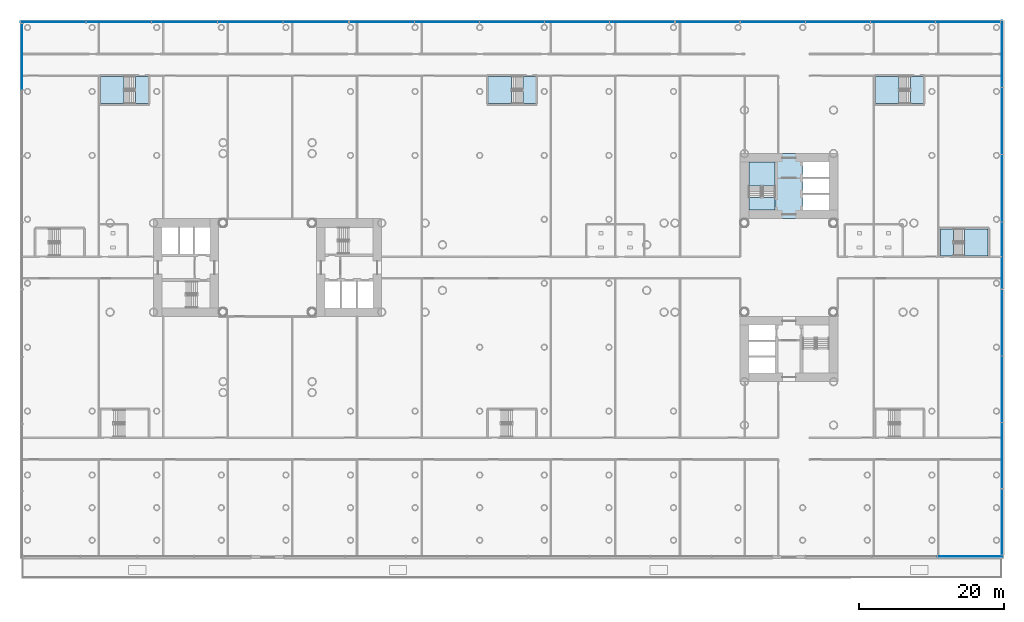
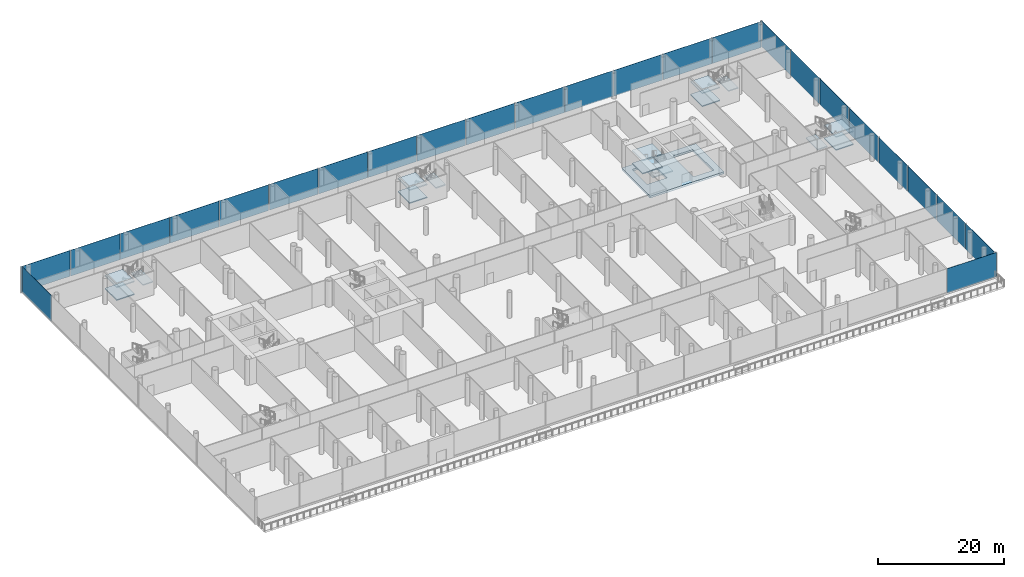
# One storey, part 16 of 59: 25 plates, 16 slabs, 12 elements without a shape of their own.
"""IFC4 building model written with IfcOpenShell, lengths in metres."""

import ifcopenshell
import ifcopenshell.guid

model = None  # the IFC model being written
_history = None  # IfcOwnerHistory: only IFC2X3 demands one
_inside = {}  # id of a spatial element -> (the spatial element, [elements in it])
_under = {}  # id of a project, library or spatial element -> (it, [spatial elements below it])
_declared = {}  # id of a project -> (the project, [libraries it declares])
_typed = {}  # id of a type object -> (the type object, [elements of that type])
_made_of = {}  # id of a material, layer set ... -> (it, [elements and type objects made of it])


def new_model(schema):
    """Start an empty IFC model of exactly this schema.

    Asked for "IFC4X3", IfcOpenShell would pick the latest addendum, in which some entities
    have other attributes; the version numbers below select the first issue.
    IFC2X3 requires an IfcOwnerHistory on every rooted entity: one is made here for all.
    """
    global model, _history
    if schema == "IFC4X3":
        model = ifcopenshell.file(schema_version=(4, 3, 0, 0))
    else:
        model = ifcopenshell.file(schema=schema)
    _inside.clear()
    _under.clear()
    _declared.clear()
    _typed.clear()
    _made_of.clear()
    _history = None
    if model.schema == "IFC2X3":
        org = make("IfcOrganization", Name="unknown")
        user = make(
            "IfcPersonAndOrganization",
            ThePerson=make("IfcPerson", FamilyName="unknown"),
            TheOrganization=org,
        )
        app = make(
            "IfcApplication",
            ApplicationDeveloper=org,
            Version="unknown",
            ApplicationFullName="unknown",
            ApplicationIdentifier="unknown",
        )
        _history = make(
            "IfcOwnerHistory",
            OwningUser=user,
            OwningApplication=app,
            ChangeAction="ADDED",
            CreationDate=0,
        )
    return model


def make(cls, **values):
    """One entity of the class cls with the attributes given. An attribute that is None is left unset."""
    return model.create_entity(
        cls, **{name: value for name, value in values.items() if value is not None}
    )


def rooted(cls, **values):
    """An entity with a GlobalId (a new one), such as an element, a storey or a relation."""
    return make(cls, GlobalId=ifcopenshell.guid.new(), OwnerHistory=_history, **values)


def si_unit(unit_type, name, prefix=None):
    """IfcSIUnit, for example si_unit("LENGTHUNIT", "METRE", prefix="MILLI")."""
    return make("IfcSIUnit", UnitType=unit_type, Prefix=prefix, Name=name)


def assignment(units):
    """IfcUnitAssignment: the units of a project."""
    return None if units is None else make("IfcUnitAssignment", Units=units)


def point(xyz):
    """IfcCartesianPoint."""
    return None if xyz is None else make("IfcCartesianPoint", Coordinates=xyz)


def direction(xyz):
    """IfcDirection."""
    return None if xyz is None else make("IfcDirection", DirectionRatios=xyz)


def frame(location, z_axis=None, x_axis=None):
    """IfcAxis2Placement3D, a coordinate frame: its origin and axes. An axis left out is left unset."""
    return make(
        "IfcAxis2Placement3D",
        Location=point(location),
        Axis=direction(z_axis),
        RefDirection=direction(x_axis),
    )


def frame_2d(location, x_axis=None):
    """IfcAxis2Placement2D, a coordinate frame in the plane: its origin and x axis."""
    return make(
        "IfcAxis2Placement2D", Location=point(location), RefDirection=direction(x_axis)
    )


def origin():
    """The frame at (0, 0, 0) with its axes left unset."""
    return frame((0.0, 0.0, 0.0))


def origin_2d():
    """The frame at (0, 0) in the plane with its x axis left unset."""
    return frame_2d((0.0, 0.0))


def place(relative_to, where):
    """IfcLocalPlacement: puts the frame where relative to a parent placement (None: the world)."""
    return make(
        "IfcLocalPlacement", PlacementRelTo=relative_to, RelativePlacement=where
    )


def context(
    kind, dimensions, precision=None, world=None, true_north=None, identifier=None
):
    """IfcGeometricRepresentationContext, for example the 3D "Model" context."""
    return make(
        "IfcGeometricRepresentationContext",
        ContextIdentifier=identifier,
        ContextType=kind,
        CoordinateSpaceDimension=dimensions,
        Precision=precision,
        WorldCoordinateSystem=world,
        TrueNorth=true_north,
    )


def subcontext(parent, identifier, kind, view, scale=None):
    """IfcGeometricRepresentationSubContext, for example "Body" below "Model"."""
    return make(
        "IfcGeometricRepresentationSubContext",
        ContextIdentifier=identifier,
        ContextType=kind,
        ParentContext=parent,
        TargetScale=scale,
        TargetView=view,
    )


def project(units=None, contexts=None):
    """IfcProject with its units and contexts."""
    return rooted(
        "IfcProject",
        Name="project",
        RepresentationContexts=contexts,
        UnitsInContext=assignment(units),
    )


def spatial(cls, under=None, at=None, **own):
    """A site, building, storey or space (cls), placed at a placement, below another one or the project."""
    s = rooted(cls, ObjectPlacement=at, **own)
    if under is not None:
        _under.setdefault(under.id(), (under, []))[1].append(s)
    return s


def polyline(points):
    """IfcPolyline through the points."""
    return make("IfcPolyline", Points=[point(p) for p in points])


def profile(cls, at=None, kind="AREA", **sizes):
    """A parametric profile (cls). Its sizes go by their IFC names, for example OverallWidth=200.0."""
    return make(cls, ProfileType=kind, Position=at, **sizes)


def rectangle(**sizes):
    """IfcRectangleProfileDef."""
    return profile("IfcRectangleProfileDef", **sizes)


def outline(outer, holes=None, kind="AREA"):
    """IfcArbitraryClosedProfileDef: a profile drawn as a closed curve; with holes, ...WithVoids."""
    if holes is None:
        return make("IfcArbitraryClosedProfileDef", ProfileType=kind, OuterCurve=outer)
    return make(
        "IfcArbitraryProfileDefWithVoids",
        ProfileType=kind,
        OuterCurve=outer,
        InnerCurves=holes,
    )


def extrude(swept, where, along, depth):
    """IfcExtrudedAreaSolid: the profile swept, set in the frame where, extruded along a direction by depth."""
    return make(
        "IfcExtrudedAreaSolid",
        SweptArea=swept,
        Position=where,
        ExtrudedDirection=direction(along),
        Depth=depth,
    )


def shape(context_of_items, identifier, shape_type, items):
    """IfcShapeRepresentation: the items that make up one representation, for example the "Body"."""
    return make(
        "IfcShapeRepresentation",
        ContextOfItems=context_of_items,
        RepresentationIdentifier=identifier,
        RepresentationType=shape_type,
        Items=items,
    )


def material(Name=None, Category=None):
    """IfcMaterial."""
    return make("IfcMaterial", Name=Name, Category=Category)


def layer(
    of_material, thickness, ventilated=None, Name=None, Category=None, Priority=None
):
    """IfcMaterialLayer: one layer of a wall or slab, of a material (None: an air gap)."""
    return make(
        "IfcMaterialLayer",
        Material=of_material,
        LayerThickness=thickness,
        IsVentilated=ventilated,
        Name=Name,
        Category=Category,
        Priority=Priority,
    )


def layer_set(layers, Name=None):
    """IfcMaterialLayerSet."""
    return make("IfcMaterialLayerSet", MaterialLayers=layers, LayerSetName=Name)


def made_of(thing, what):
    """Note that an element or type object is made of a material, layer set ...; save() writes the relation."""
    if what is not None:
        _made_of.setdefault(what.id(), (what, []))[1].append(thing)
    return thing


def type_object(cls, material=None, **own):
    """A type object (cls), such as IfcWallType, which elements share."""
    return made_of(rooted(cls, **own), material)


def element(
    cls,
    number,
    at=None,
    inside=None,
    cuts=None,
    type_object=None,
    material=None,
    context=None,
    identifier="Body",
    shape_type=None,
    held_by="IfcProductDefinitionShape",
    body=None,
    shapes=None,
    **own,
):
    """One element of the class cls, such as IfcWall. Its Tag is "e" and its number.

    at: its placement. inside: the storey or other place that contains it. cuts: it is an
    opening in that element (IfcRelVoidsElement). A single representation is given by context,
    identifier, shape_type and body (its items); several are given by shapes. held_by: the class
    of the entity that holds the representations. save() writes the other relations.
    """
    e = rooted(cls, Tag="e%d" % number, ObjectPlacement=at, **own)
    if body is not None:
        shapes = [shape(context, identifier, shape_type, body)]
    if shapes is not None:
        e.Representation = make(held_by, Representations=shapes)
    if inside is not None:
        _inside.setdefault(inside.id(), (inside, []))[1].append(e)
    if cuts is not None:
        rooted(
            "IfcRelVoidsElement", RelatingBuildingElement=cuts, RelatedOpeningElement=e
        )
    if type_object is not None:
        _typed.setdefault(type_object.id(), (type_object, []))[1].append(e)
    return made_of(e, material)


def aggregate(whole, parts):
    """IfcRelAggregates: a whole, such as a stair, and the parts it consists of."""
    return rooted("IfcRelAggregates", RelatingObject=whole, RelatedObjects=parts)


def save(model, path):
    """Write the relations noted so far, then the file.

    IfcRelAggregates (storeys below a building ...), IfcRelContainedInSpatialStructure (elements
    in a storey), IfcRelDefinesByType, IfcRelAssociatesMaterial and IfcRelDeclares: one each for
    every whole, place, type object, material and project.
    """
    for whole, parts in _under.values():
        aggregate(whole, parts)
    for where, things in _inside.values():
        rooted(
            "IfcRelContainedInSpatialStructure",
            RelatedElements=things,
            RelatingStructure=where,
        )
    for kind, things in _typed.values():
        rooted("IfcRelDefinesByType", RelatedObjects=things, RelatingType=kind)
    for what, things in _made_of.values():
        rooted("IfcRelAssociatesMaterial", RelatedObjects=things, RelatingMaterial=what)
    for by, libraries in _declared.values():
        rooted("IfcRelDeclares", RelatingContext=by, RelatedDefinitions=libraries)
    model.write(path)


model = new_model("IFC4")

# Units and contexts
model_context = context("Model", 3, precision=1e-05, world=origin(), true_north=direction((0.0, 1.0)))
body_context = subcontext(model_context, "Body", "Model", "MODEL_VIEW")
ifc_project = project(units=[si_unit("LENGTHUNIT", "METRE"), si_unit("AREAUNIT", "SQUARE_METRE"), si_unit("VOLUMEUNIT", "CUBIC_METRE"), si_unit("PLANEANGLEUNIT", "RADIAN"), si_unit("MASSUNIT", "GRAM", prefix="KILO")], contexts=[model_context])

# Site, building, storey
site_placement = place(None, origin())
site = spatial("IfcSite", under=ifc_project, at=site_placement, CompositionType="ELEMENT")
building_placement = place(site_placement, origin())
building = spatial("IfcBuilding", under=site, at=building_placement, Name="Ipe Terrace Towers", CompositionType="ELEMENT")
storey_placement = place(building_placement, frame((0.0, 0.0, 6.0)))
storey = spatial("IfcBuildingStorey", under=building, at=storey_placement, Name="L01", CompositionType="ELEMENT", Elevation=6.0)

# Slab
ifc_material_1 = material(Name="Concrete C30/37", Category="concrete")
ifc_layer_1 = layer(ifc_material_1, 0.39990234375)
ifc_layer_set_1 = layer_set([ifc_layer_1], Name="CORE FLOOR SLAB 400 C30-37")
slab_type_1 = type_object("IfcSlabType", Name="CORE FLOOR SLAB 400 C30-37", PredefinedType="FLOOR", material=ifc_layer_set_1)
slab_1_placement = place(storey_placement, frame((0.0, 0.0, -0.39990234375)))
element("IfcSlab", 1, at=slab_1_placement, inside=storey, type_object=slab_type_1, Name="Core floor T2-C1", PredefinedType="FLOOR", context=body_context, shape_type="SweptSolid", body=[
    extrude(outline(polyline([(29.25, 6.75), (29.25, 15.75), (42.75, 15.75), (42.75, 6.75), (29.25, 6.75)]), holes=[polyline([(41.550048828125, 7.949951171875), (41.550048828125, 14.550048828125), (37.89990234375, 14.550048828125), (37.89990234375, 7.949951171875), (41.550048828125, 7.949951171875)]), polyline([(30.449951171875, 9.800048828125), (34.10009765625, 9.800048828125), (34.10009765625, 14.550048828125), (30.449951171875, 14.550048828125), (30.449951171875, 9.800048828125)])]), origin(), (0.0, 0.0, 1.0), 0.39990234375),
])

# Stair, slabs
ifc_material_2 = material(Name="Concrete C30/37", Category="concrete")
stair_type = type_object("IfcStairType", Name="Protected exit stair", PredefinedType="HALF_TURN_STAIR", material=ifc_material_2)
stair_1_placement = place(storey_placement, origin())
stair_1 = element("IfcStair", 2, at=stair_1_placement, inside=storey, type_object=stair_type, Name="L01 Exit stair T2-C1", PredefinedType="HALF_TURN_STAIR")
ifc_material_3 = material(Name="Concrete C30/37", Category="concrete")
ifc_layer_2 = layer(ifc_material_3, 0.199951171875)
ifc_layer_set_2 = layer_set([ifc_layer_2], Name="Exit stair landing 200")
slab_type_2 = type_object("IfcSlabType", Name="Exit stair landing 200", PredefinedType="LANDING", material=ifc_layer_set_2)
slab_2_placement = place(storey_placement, frame((0.0, 0.0, 1.050048828125)))
slab_2 = element("IfcSlab", 3, at=slab_2_placement, type_object=slab_type_2, Name="T2-ST1 landing 1", PredefinedType="LANDING", context=body_context, shape_type="SweptSolid", body=[
    extrude(outline(polyline([(34.10009765625, 11.260009765625), (34.10009765625, 14.550048828125), (30.449951171875, 14.550048828125), (30.449951171875, 11.260009765625), (34.10009765625, 11.260009765625)])), origin(), (0.0, 0.0, 1.0), 0.199951171875),
])
slab_3_placement = place(storey_placement, frame((0.0, 0.0, 2.300048828125)))
slab_3 = element("IfcSlab", 4, at=slab_3_placement, type_object=slab_type_2, Name="T2-ST1 landing 2", PredefinedType="LANDING", context=body_context, shape_type="SweptSolid", body=[
    extrude(outline(polyline([(34.10009765625, 7.949951171875), (34.10009765625, 9.699951171875), (30.449951171875, 9.699951171875), (30.449951171875, 7.949951171875), (34.10009765625, 7.949951171875)])), origin(), (0.0, 0.0, 1.0), 0.199951171875),
])
slab_4_placement = place(storey_placement, frame((0.0, 0.0, 3.550048828125)))
slab_4 = element("IfcSlab", 5, at=slab_4_placement, type_object=slab_type_2, Name="T2-ST1 landing 3", PredefinedType="LANDING", context=body_context, shape_type="SweptSolid", body=[
    extrude(outline(polyline([(34.10009765625, 11.260009765625), (34.10009765625, 14.550048828125), (30.449951171875, 14.550048828125), (30.449951171875, 11.260009765625), (34.10009765625, 11.260009765625)])), origin(), (0.0, 0.0, 1.0), 0.199951171875),
])
aggregate(stair_1, [slab_2, slab_3, slab_4])

stair_2_placement = place(storey_placement, origin())
stair_2 = element("IfcStair", 6, at=stair_2_placement, inside=storey, type_object=stair_type, Name="L01 Podium exit stair PS1", PredefinedType="HALF_TURN_STAIR")
slab_5_placement = place(storey_placement, frame((0.0, 0.0, 1.050048828125)))
slab_5 = element("IfcSlab", 7, at=slab_5_placement, type_object=slab_type_2, Name="PS1 landing 1", PredefinedType="LANDING", context=body_context, shape_type="SweptSolid", body=[
    extrude(outline(polyline([(-55.830078125, 26.39990234375), (-59.070068359375, 26.39990234375), (-59.070068359375, 22.64990234375), (-55.830078125, 22.64990234375), (-55.830078125, 26.39990234375)])), origin(), (0.0, 0.0, 1.0), 0.199951171875),
])
slab_6_placement = place(storey_placement, frame((0.0, 0.0, 2.300048828125)))
slab_6 = element("IfcSlab", 8, at=slab_6_placement, type_object=slab_type_2, Name="PS1 landing 2", PredefinedType="LANDING", context=body_context, shape_type="SweptSolid", body=[
    extrude(outline(polyline([(-52.469970703125, 26.39990234375), (-54.27001953125, 26.39990234375), (-54.27001953125, 22.64990234375), (-52.469970703125, 22.64990234375), (-52.469970703125, 26.39990234375)])), origin(), (0.0, 0.0, 1.0), 0.199951171875),
])
slab_7_placement = place(storey_placement, frame((0.0, 0.0, 3.550048828125)))
slab_7 = element("IfcSlab", 9, at=slab_7_placement, type_object=slab_type_2, Name="PS1 landing 3", PredefinedType="LANDING", context=body_context, shape_type="SweptSolid", body=[
    extrude(outline(polyline([(-55.830078125, 26.39990234375), (-59.070068359375, 26.39990234375), (-59.070068359375, 22.64990234375), (-55.830078125, 22.64990234375), (-55.830078125, 26.39990234375)])), origin(), (0.0, 0.0, 1.0), 0.199951171875),
])
aggregate(stair_2, [slab_5, slab_6, slab_7])

stair_3_placement = place(storey_placement, origin())
stair_3 = element("IfcStair", 10, at=stair_3_placement, inside=storey, type_object=stair_type, Name="L01 Podium exit stair PS2", PredefinedType="HALF_TURN_STAIR")
slab_8_placement = place(storey_placement, frame((0.0, 0.0, 1.050048828125)))
slab_8 = element("IfcSlab", 11, at=slab_8_placement, type_object=slab_type_2, Name="PS2 landing 1", PredefinedType="LANDING", context=body_context, shape_type="SweptSolid", body=[
    extrude(outline(polyline([(-2.31005859375, 26.39990234375), (-5.550048828125, 26.39990234375), (-5.550048828125, 22.64990234375), (-2.31005859375, 22.64990234375), (-2.31005859375, 26.39990234375)])), origin(), (0.0, 0.0, 1.0), 0.199951171875),
])
slab_9_placement = place(storey_placement, frame((0.0, 0.0, 2.300048828125)))
slab_9 = element("IfcSlab", 12, at=slab_9_placement, type_object=slab_type_2, Name="PS2 landing 2", PredefinedType="LANDING", context=body_context, shape_type="SweptSolid", body=[
    extrude(outline(polyline([(1.050048828125, 26.39990234375), (-0.75, 26.39990234375), (-0.75, 22.64990234375), (1.050048828125, 22.64990234375), (1.050048828125, 26.39990234375)])), origin(), (0.0, 0.0, 1.0), 0.199951171875),
])
slab_10_placement = place(storey_placement, frame((0.0, 0.0, 3.550048828125)))
slab_10 = element("IfcSlab", 13, at=slab_10_placement, type_object=slab_type_2, Name="PS2 landing 3", PredefinedType="LANDING", context=body_context, shape_type="SweptSolid", body=[
    extrude(outline(polyline([(-2.31005859375, 26.39990234375), (-5.550048828125, 26.39990234375), (-5.550048828125, 22.64990234375), (-2.31005859375, 22.64990234375), (-2.31005859375, 26.39990234375)])), origin(), (0.0, 0.0, 1.0), 0.199951171875),
])
aggregate(stair_3, [slab_8, slab_9, slab_10])

stair_4_placement = place(storey_placement, origin())
stair_4 = element("IfcStair", 14, at=stair_4_placement, inside=storey, type_object=stair_type, Name="L01 Podium exit stair PS3", PredefinedType="HALF_TURN_STAIR")
slab_11_placement = place(storey_placement, frame((0.0, 0.0, 1.050048828125)))
slab_11 = element("IfcSlab", 15, at=slab_11_placement, type_object=slab_type_2, Name="PS3 landing 1", PredefinedType="LANDING", context=body_context, shape_type="SweptSolid", body=[
    extrude(outline(polyline([(51.2099609375, 26.39990234375), (47.969970703125, 26.39990234375), (47.969970703125, 22.64990234375), (51.2099609375, 22.64990234375), (51.2099609375, 26.39990234375)])), origin(), (0.0, 0.0, 1.0), 0.199951171875),
])
slab_12_placement = place(storey_placement, frame((0.0, 0.0, 2.300048828125)))
slab_12 = element("IfcSlab", 16, at=slab_12_placement, type_object=slab_type_2, Name="PS3 landing 2", PredefinedType="LANDING", context=body_context, shape_type="SweptSolid", body=[
    extrude(outline(polyline([(54.570068359375, 26.39990234375), (52.77001953125, 26.39990234375), (52.77001953125, 22.64990234375), (54.570068359375, 22.64990234375), (54.570068359375, 26.39990234375)])), origin(), (0.0, 0.0, 1.0), 0.199951171875),
])
slab_13_placement = place(storey_placement, frame((0.0, 0.0, 3.550048828125)))
slab_13 = element("IfcSlab", 17, at=slab_13_placement, type_object=slab_type_2, Name="PS3 landing 3", PredefinedType="LANDING", context=body_context, shape_type="SweptSolid", body=[
    extrude(outline(polyline([(51.2099609375, 26.39990234375), (47.969970703125, 26.39990234375), (47.969970703125, 22.64990234375), (51.2099609375, 22.64990234375), (51.2099609375, 26.39990234375)])), origin(), (0.0, 0.0, 1.0), 0.199951171875),
])
aggregate(stair_4, [slab_11, slab_12, slab_13])

stair_5_placement = place(storey_placement, origin())
stair_5 = element("IfcStair", 18, at=stair_5_placement, inside=storey, type_object=stair_type, Name="L01 Podium exit stair PS8", PredefinedType="HALF_TURN_STAIR")
slab_14_placement = place(storey_placement, frame((0.0, 0.0, 1.050048828125)))
slab_14 = element("IfcSlab", 19, at=slab_14_placement, type_object=slab_type_2, Name="PS8 landing 1", PredefinedType="LANDING", context=body_context, shape_type="SweptSolid", body=[
    extrude(outline(polyline([(60.25, 1.60009765625), (63.489990234375, 1.60009765625), (63.489990234375, 5.35009765625), (60.25, 5.35009765625), (60.25, 1.60009765625)])), origin(), (0.0, 0.0, 1.0), 0.199951171875),
])
slab_15_placement = place(storey_placement, frame((0.0, 0.0, 2.300048828125)))
slab_15 = element("IfcSlab", 20, at=slab_15_placement, type_object=slab_type_2, Name="PS8 landing 2", PredefinedType="LANDING", context=body_context, shape_type="SweptSolid", body=[
    extrude(outline(polyline([(56.889892578125, 1.60009765625), (58.68994140625, 1.60009765625), (58.68994140625, 5.35009765625), (56.889892578125, 5.35009765625), (56.889892578125, 1.60009765625)])), origin(), (0.0, 0.0, 1.0), 0.199951171875),
])
slab_16_placement = place(storey_placement, frame((0.0, 0.0, 3.550048828125)))
slab_16 = element("IfcSlab", 21, at=slab_16_placement, type_object=slab_type_2, Name="PS8 landing 3", PredefinedType="LANDING", context=body_context, shape_type="SweptSolid", body=[
    extrude(outline(polyline([(60.25, 1.60009765625), (63.489990234375, 1.60009765625), (63.489990234375, 5.35009765625), (60.25, 5.35009765625), (60.25, 1.60009765625)])), origin(), (0.0, 0.0, 1.0), 0.199951171875),
])
aggregate(stair_5, [slab_14, slab_15, slab_16])

# Curtain wall, plates
ifc_material_4 = material(Name="Aluminium alloy 6063-T6", Category="aluminium")
ifc_layer_3 = layer(ifc_material_4, 0.43994140625)
ifc_layer_set_3 = layer_set([ifc_layer_3], Name="PODIUM GLAZING CURTAIN WALL")
curtain_wall_type = type_object("IfcCurtainWallType", Name="PODIUM GLAZING CURTAIN WALL", PredefinedType="NOTDEFINED", material=ifc_layer_set_3)
curtain_wall_1_placement = place(storey_placement, origin())
curtain_wall_1 = element("IfcCurtainWall", 22, at=curtain_wall_1_placement, inside=storey, type_object=curtain_wall_type, Name="POD-CW-L01-00a curtain wall", PredefinedType="NOTDEFINED")
ifc_material_5 = material(Name="Glass, clear laminated", Category="glass")
ifc_layer_4 = layer(ifc_material_5, 0.035888671875)
ifc_layer_set_4 = layer_set([ifc_layer_4], Name="PODIUM GLAZING GLASS PANEL 36")
plate_type = type_object("IfcPlateType", Name="PODIUM GLAZING GLASS PANEL 36", PredefinedType="CURTAIN_PANEL", material=ifc_layer_set_4)
plate_1_placement = place(storey_placement, frame((65.39990234375, -35.126220703125, -0.300048828125), z_axis=(0.0, 0.0, 1.0), x_axis=(0.0, 1.0, 0.0)))
plate_1 = element("IfcPlate", 23, at=plate_1_placement, type_object=plate_type, Name="POD-CW-L01-00a panel 1", PredefinedType="CURTAIN_PANEL", context=body_context, shape_type="SweptSolid", body=[
    extrude(rectangle(XDim=9.08740234375, YDim=0.035888671875, at=origin_2d()), origin(), (0.0, 0.0, 1.0), 5.0),
])
plate_2_placement = place(storey_placement, frame((65.39990234375, -25.958740234375, -0.300048828125), z_axis=(0.0, 0.0, 1.0), x_axis=(0.0, 1.0, 0.0)))
plate_2 = element("IfcPlate", 24, at=plate_2_placement, type_object=plate_type, Name="POD-CW-L01-00a panel 2", PredefinedType="CURTAIN_PANEL", context=body_context, shape_type="SweptSolid", body=[
    extrude(rectangle(XDim=9.08740234375, YDim=0.035888671875, at=origin_2d()), origin(), (0.0, 0.0, 1.0), 5.0),
])
plate_3_placement = place(storey_placement, frame((65.39990234375, -16.791259765625, -0.300048828125), z_axis=(0.0, 0.0, 1.0), x_axis=(0.0, 1.0, 0.0)))
plate_3 = element("IfcPlate", 25, at=plate_3_placement, type_object=plate_type, Name="POD-CW-L01-00a panel 3", PredefinedType="CURTAIN_PANEL", context=body_context, shape_type="SweptSolid", body=[
    extrude(rectangle(XDim=9.08740234375, YDim=0.035888671875, at=origin_2d()), origin(), (0.0, 0.0, 1.0), 5.0),
])
plate_4_placement = place(storey_placement, frame((65.39990234375, -7.623779296875, -0.300048828125), z_axis=(0.0, 0.0, 1.0), x_axis=(0.0, 1.0, 0.0)))
plate_4 = element("IfcPlate", 26, at=plate_4_placement, type_object=plate_type, Name="POD-CW-L01-00a panel 4", PredefinedType="CURTAIN_PANEL", context=body_context, shape_type="SweptSolid", body=[
    extrude(rectangle(XDim=9.08740234375, YDim=0.035888671875, at=origin_2d()), origin(), (0.0, 0.0, 1.0), 5.0),
])
aggregate(curtain_wall_1, [plate_1, plate_2, plate_3, plate_4])

curtain_wall_2_placement = place(storey_placement, origin())
curtain_wall_2 = element("IfcCurtainWall", 27, at=curtain_wall_2_placement, inside=storey, type_object=curtain_wall_type, Name="POD-CW-L01-00b curtain wall", PredefinedType="NOTDEFINED")
plate_5_placement = place(storey_placement, frame((65.39990234375, 1.6787109375, -0.300048828125), z_axis=(0.0, 0.0, 1.0), x_axis=(0.0, 1.0, 0.0)))
plate_5 = element("IfcPlate", 28, at=plate_5_placement, type_object=plate_type, Name="POD-CW-L01-00b panel 1", PredefinedType="CURTAIN_PANEL", context=body_context, shape_type="SweptSolid", body=[
    extrude(rectangle(XDim=9.197509765625, YDim=0.035888671875, at=origin_2d()), origin(), (0.0, 0.0, 1.0), 5.0),
])
plate_6_placement = place(storey_placement, frame((65.39990234375, 10.956298828125, -0.300048828125), z_axis=(0.0, 0.0, 1.0), x_axis=(0.0, 1.0, 0.0)))
plate_6 = element("IfcPlate", 29, at=plate_6_placement, type_object=plate_type, Name="POD-CW-L01-00b panel 2", PredefinedType="CURTAIN_PANEL", context=body_context, shape_type="SweptSolid", body=[
    extrude(rectangle(XDim=9.197509765625, YDim=0.035888671875, at=origin_2d()), origin(), (0.0, 0.0, 1.0), 5.0),
])
plate_7_placement = place(storey_placement, frame((65.39990234375, 20.233642578125, -0.300048828125), z_axis=(0.0, 0.0, 1.0), x_axis=(0.0, 1.0, 0.0)))
plate_7 = element("IfcPlate", 30, at=plate_7_placement, type_object=plate_type, Name="POD-CW-L01-00b panel 3", PredefinedType="CURTAIN_PANEL", context=body_context, shape_type="SweptSolid", body=[
    extrude(rectangle(XDim=9.197509765625, YDim=0.035888671875, at=origin_2d()), origin(), (0.0, 0.0, 1.0), 5.0),
])
plate_8_placement = place(storey_placement, frame((65.39990234375, 29.51123046875, -0.300048828125), z_axis=(0.0, 0.0, 1.0), x_axis=(0.0, 1.0, 0.0)))
plate_8 = element("IfcPlate", 31, at=plate_8_placement, type_object=plate_type, Name="POD-CW-L01-00b panel 4", PredefinedType="CURTAIN_PANEL", context=body_context, shape_type="SweptSolid", body=[
    extrude(rectangle(XDim=9.197509765625, YDim=0.035888671875, at=origin_2d()), origin(), (0.0, 0.0, 1.0), 5.0),
])
aggregate(curtain_wall_2, [plate_5, plate_6, plate_7, plate_8])

curtain_wall_3_placement = place(storey_placement, origin())
curtain_wall_3 = element("IfcCurtainWall", 32, at=curtain_wall_3_placement, inside=storey, type_object=curtain_wall_type, Name="POD-CW-L01-01a curtain wall", PredefinedType="NOTDEFINED")
plate_9_placement = place(storey_placement, frame((60.718017578125, 33.89990234375, -0.300048828125), z_axis=(0.0, 0.0, 1.0), x_axis=(-1.0, 0.0, 0.0)))
plate_9 = element("IfcPlate", 33, at=plate_9_placement, type_object=plate_type, Name="POD-CW-L01-01a panel 1", PredefinedType="CURTAIN_PANEL", context=body_context, shape_type="SweptSolid", body=[
    extrude(rectangle(XDim=8.904052734375, YDim=0.035888671875, at=origin_2d()), origin(), (0.0, 0.0, 1.0), 5.0),
])
plate_10_placement = place(storey_placement, frame((51.73388671875, 33.89990234375, -0.300048828125), z_axis=(0.0, 0.0, 1.0), x_axis=(-1.0, 0.0, 0.0)))
plate_10 = element("IfcPlate", 34, at=plate_10_placement, type_object=plate_type, Name="POD-CW-L01-01a panel 2", PredefinedType="CURTAIN_PANEL", context=body_context, shape_type="SweptSolid", body=[
    extrude(rectangle(XDim=8.904052734375, YDim=0.035888671875, at=origin_2d()), origin(), (0.0, 0.0, 1.0), 5.0),
])
plate_11_placement = place(storey_placement, frame((42.75, 33.89990234375, -0.300048828125), z_axis=(0.0, 0.0, 1.0), x_axis=(-1.0, 0.0, 0.0)))
plate_11 = element("IfcPlate", 35, at=plate_11_placement, type_object=plate_type, Name="POD-CW-L01-01a panel 3", PredefinedType="CURTAIN_PANEL", context=body_context, shape_type="SweptSolid", body=[
    extrude(rectangle(XDim=8.904052734375, YDim=0.035888671875, at=origin_2d()), origin(), (0.0, 0.0, 1.0), 5.0),
])
plate_12_placement = place(storey_placement, frame((33.76611328125, 33.89990234375, -0.300048828125), z_axis=(0.0, 0.0, 1.0), x_axis=(-1.0, 0.0, 0.0)))
plate_12 = element("IfcPlate", 36, at=plate_12_placement, type_object=plate_type, Name="POD-CW-L01-01a panel 4", PredefinedType="CURTAIN_PANEL", context=body_context, shape_type="SweptSolid", body=[
    extrude(rectangle(XDim=8.904052734375, YDim=0.035888671875, at=origin_2d()), origin(), (0.0, 0.0, 1.0), 5.0),
])
plate_13_placement = place(storey_placement, frame((24.781982421875, 33.89990234375, -0.300048828125), z_axis=(0.0, 0.0, 1.0), x_axis=(-1.0, 0.0, 0.0)))
plate_13 = element("IfcPlate", 37, at=plate_13_placement, type_object=plate_type, Name="POD-CW-L01-01a panel 5", PredefinedType="CURTAIN_PANEL", context=body_context, shape_type="SweptSolid", body=[
    extrude(rectangle(XDim=8.904052734375, YDim=0.035888671875, at=origin_2d()), origin(), (0.0, 0.0, 1.0), 5.0),
])
aggregate(curtain_wall_3, [plate_9, plate_10, plate_11, plate_12, plate_13])

curtain_wall_4_placement = place(storey_placement, origin())
curtain_wall_4 = element("IfcCurtainWall", 38, at=curtain_wall_4_placement, inside=storey, type_object=curtain_wall_type, Name="POD-CW-L01-01b curtain wall", PredefinedType="NOTDEFINED")
plate_14_placement = place(storey_placement, frame((15.718017578125, 33.89990234375, -0.300048828125), z_axis=(0.0, 0.0, 1.0), x_axis=(-1.0, 0.0, 0.0)))
plate_14 = element("IfcPlate", 39, at=plate_14_placement, type_object=plate_type, Name="POD-CW-L01-01b panel 1", PredefinedType="CURTAIN_PANEL", context=body_context, shape_type="SweptSolid", body=[
    extrude(rectangle(XDim=8.904052734375, YDim=0.035888671875, at=origin_2d()), origin(), (0.0, 0.0, 1.0), 5.0),
])
plate_15_placement = place(storey_placement, frame((6.73388671875, 33.89990234375, -0.300048828125), z_axis=(0.0, 0.0, 1.0), x_axis=(-1.0, 0.0, 0.0)))
plate_15 = element("IfcPlate", 40, at=plate_15_placement, type_object=plate_type, Name="POD-CW-L01-01b panel 2", PredefinedType="CURTAIN_PANEL", context=body_context, shape_type="SweptSolid", body=[
    extrude(rectangle(XDim=8.904052734375, YDim=0.035888671875, at=origin_2d()), origin(), (0.0, 0.0, 1.0), 5.0),
])
plate_16_placement = place(storey_placement, frame((-2.25, 33.89990234375, -0.300048828125), z_axis=(0.0, 0.0, 1.0), x_axis=(-1.0, 0.0, 0.0)))
plate_16 = element("IfcPlate", 41, at=plate_16_placement, type_object=plate_type, Name="POD-CW-L01-01b panel 3", PredefinedType="CURTAIN_PANEL", context=body_context, shape_type="SweptSolid", body=[
    extrude(rectangle(XDim=8.904052734375, YDim=0.035888671875, at=origin_2d()), origin(), (0.0, 0.0, 1.0), 5.0),
])
plate_17_placement = place(storey_placement, frame((-11.23388671875, 33.89990234375, -0.300048828125), z_axis=(0.0, 0.0, 1.0), x_axis=(-1.0, 0.0, 0.0)))
plate_17 = element("IfcPlate", 42, at=plate_17_placement, type_object=plate_type, Name="POD-CW-L01-01b panel 4", PredefinedType="CURTAIN_PANEL", context=body_context, shape_type="SweptSolid", body=[
    extrude(rectangle(XDim=8.904052734375, YDim=0.035888671875, at=origin_2d()), origin(), (0.0, 0.0, 1.0), 5.0),
])
plate_18_placement = place(storey_placement, frame((-20.218017578125, 33.89990234375, -0.300048828125), z_axis=(0.0, 0.0, 1.0), x_axis=(-1.0, 0.0, 0.0)))
plate_18 = element("IfcPlate", 43, at=plate_18_placement, type_object=plate_type, Name="POD-CW-L01-01b panel 5", PredefinedType="CURTAIN_PANEL", context=body_context, shape_type="SweptSolid", body=[
    extrude(rectangle(XDim=8.904052734375, YDim=0.035888671875, at=origin_2d()), origin(), (0.0, 0.0, 1.0), 5.0),
])
aggregate(curtain_wall_4, [plate_14, plate_15, plate_16, plate_17, plate_18])

curtain_wall_5_placement = place(storey_placement, origin())
curtain_wall_5 = element("IfcCurtainWall", 44, at=curtain_wall_5_placement, inside=storey, type_object=curtain_wall_type, Name="POD-CW-L01-01c curtain wall", PredefinedType="NOTDEFINED")
plate_19_placement = place(storey_placement, frame((-29.325927734375, 33.89990234375, -0.300048828125), z_axis=(0.0, 0.0, 1.0), x_axis=(-1.0, 0.0, 0.0)))
plate_19 = element("IfcPlate", 45, at=plate_19_placement, type_object=plate_type, Name="POD-CW-L01-01c panel 1", PredefinedType="CURTAIN_PANEL", context=body_context, shape_type="SweptSolid", body=[
    extrude(rectangle(XDim=8.991943359375, YDim=0.035888671875, at=origin_2d()), origin(), (0.0, 0.0, 1.0), 5.0),
])
plate_20_placement = place(storey_placement, frame((-38.39794921875, 33.89990234375, -0.300048828125), z_axis=(0.0, 0.0, 1.0), x_axis=(-1.0, 0.0, 0.0)))
plate_20 = element("IfcPlate", 46, at=plate_20_placement, type_object=plate_type, Name="POD-CW-L01-01c panel 2", PredefinedType="CURTAIN_PANEL", context=body_context, shape_type="SweptSolid", body=[
    extrude(rectangle(XDim=8.991943359375, YDim=0.035888671875, at=origin_2d()), origin(), (0.0, 0.0, 1.0), 5.0),
])
plate_21_placement = place(storey_placement, frame((-47.469970703125, 33.89990234375, -0.300048828125), z_axis=(0.0, 0.0, 1.0), x_axis=(-1.0, 0.0, 0.0)))
plate_21 = element("IfcPlate", 47, at=plate_21_placement, type_object=plate_type, Name="POD-CW-L01-01c panel 3", PredefinedType="CURTAIN_PANEL", context=body_context, shape_type="SweptSolid", body=[
    extrude(rectangle(XDim=8.991943359375, YDim=0.035888671875, at=origin_2d()), origin(), (0.0, 0.0, 1.0), 5.0),
])
plate_22_placement = place(storey_placement, frame((-56.5419921875, 33.89990234375, -0.300048828125), z_axis=(0.0, 0.0, 1.0), x_axis=(-1.0, 0.0, 0.0)))
plate_22 = element("IfcPlate", 48, at=plate_22_placement, type_object=plate_type, Name="POD-CW-L01-01c panel 4", PredefinedType="CURTAIN_PANEL", context=body_context, shape_type="SweptSolid", body=[
    extrude(rectangle(XDim=8.991943359375, YDim=0.035888671875, at=origin_2d()), origin(), (0.0, 0.0, 1.0), 5.0),
])
plate_23_placement = place(storey_placement, frame((-65.614013671875, 33.89990234375, -0.300048828125), z_axis=(0.0, 0.0, 1.0), x_axis=(-1.0, 0.0, 0.0)))
plate_23 = element("IfcPlate", 49, at=plate_23_placement, type_object=plate_type, Name="POD-CW-L01-01c panel 5", PredefinedType="CURTAIN_PANEL", context=body_context, shape_type="SweptSolid", body=[
    extrude(rectangle(XDim=8.991943359375, YDim=0.035888671875, at=origin_2d()), origin(), (0.0, 0.0, 1.0), 5.0),
])
aggregate(curtain_wall_5, [plate_19, plate_20, plate_21, plate_22, plate_23])

# Curtain wall, plate
curtain_wall_6_placement = place(storey_placement, origin())
curtain_wall_6 = element("IfcCurtainWall", 50, at=curtain_wall_6_placement, inside=storey, type_object=curtain_wall_type, Name="POD-CW-L01-02a curtain wall", PredefinedType="NOTDEFINED")
plate_24_placement = place(storey_placement, frame((-69.89990234375, 29.126220703125, -0.300048828125), z_axis=(0.0, 0.0, 1.0), x_axis=(0.0, -1.0, 0.0)))
plate_24 = element("IfcPlate", 51, at=plate_24_placement, type_object=plate_type, Name="POD-CW-L01-02a panel 1", PredefinedType="CURTAIN_PANEL", context=body_context, shape_type="SweptSolid", body=[
    extrude(rectangle(XDim=9.08740234375, YDim=0.035888671875, at=origin_2d()), origin(), (0.0, 0.0, 1.0), 5.0),
])
aggregate(curtain_wall_6, [plate_24])

curtain_wall_7_placement = place(storey_placement, origin())
curtain_wall_7 = element("IfcCurtainWall", 52, at=curtain_wall_7_placement, inside=storey, type_object=curtain_wall_type, Name="POD-CW-L01-03f curtain wall", PredefinedType="NOTDEFINED")
plate_25_placement = place(storey_placement, frame((61.090087890625, -39.89990234375, -0.02001953125), z_axis=(0.0, 0.0, 1.0), x_axis=(1.0, 0.0, 0.0)))
plate_25 = element("IfcPlate", 53, at=plate_25_placement, type_object=plate_type, Name="POD-CW-L01-03f panel 3", PredefinedType="CURTAIN_PANEL", context=body_context, shape_type="SweptSolid", body=[
    extrude(rectangle(XDim=9.0400390625, YDim=0.035888671875, at=origin_2d()), origin(), (0.0, 0.0, 1.0), 4.719970703125),
])
aggregate(curtain_wall_7, [plate_25])

save(model, "model.ifc")
